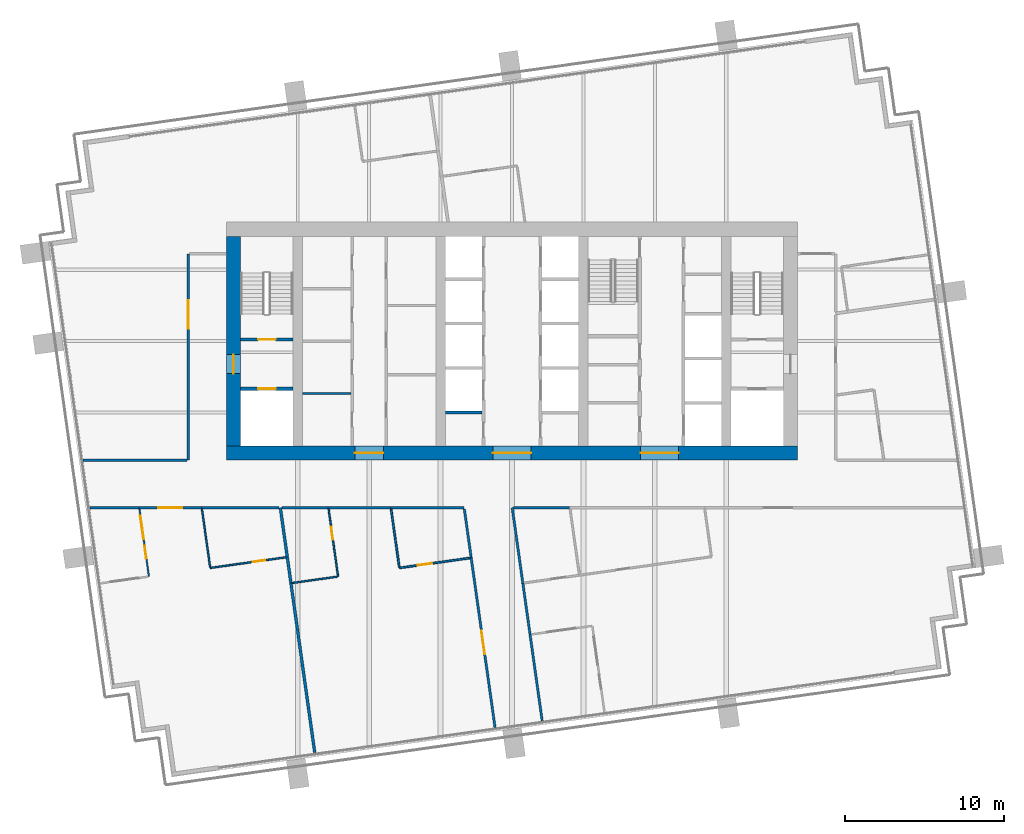
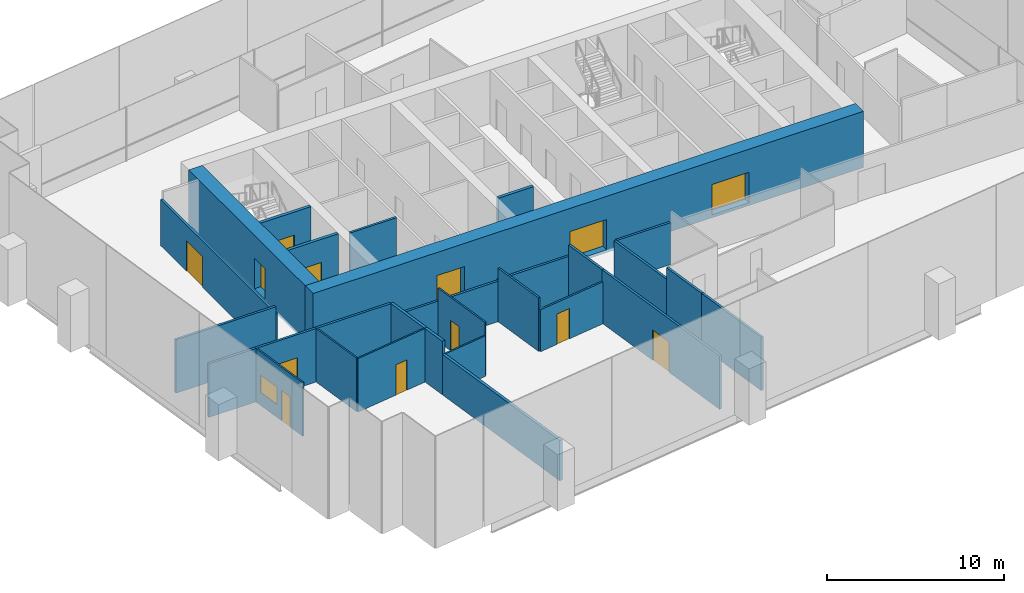
# One storey, part 9 of 17: 30 walls, 13 doors, 1 window, 14 openings.
"""IFC4 building model written with IfcOpenShell, lengths in metres."""

from ifc_helpers import new_model, si_unit, direction, frame, frame_2d, origin, place, context, subcontext, project, spatial, rectangle, extrude, material, layer, layer_set, type_object, element, fill, save


model = new_model("IFC4")

# Units and contexts
model_context = context("Model", 3, precision=1e-05, world=origin(), true_north=direction((0.0, 1.0)))
body_context = subcontext(model_context, "Body", "Model", "MODEL_VIEW")
ifc_project = project(units=[si_unit("LENGTHUNIT", "METRE"), si_unit("AREAUNIT", "SQUARE_METRE"), si_unit("VOLUMEUNIT", "CUBIC_METRE"), si_unit("PLANEANGLEUNIT", "RADIAN"), si_unit("MASSUNIT", "GRAM", prefix="KILO")], contexts=[model_context])

# Site, building, storey
site_placement = place(None, origin())
site = spatial("IfcSite", under=ifc_project, at=site_placement, CompositionType="ELEMENT")
building_placement = place(site_placement, origin())
building = spatial("IfcBuilding", under=site, at=building_placement, Name="Rattan Terrace Tower", CompositionType="ELEMENT")
storey_placement = place(building_placement, frame((0.0, 0.0, 168.5)))
storey = spatial("IfcBuildingStorey", under=building, at=storey_placement, Name="L38", CompositionType="ELEMENT", Elevation=168.5)

# Wall
ifc_material_1 = material(Name="Gypsum board partition")
ifc_layer_1 = layer(ifc_material_1, 0.14990234375)
ifc_layer_set_1 = layer_set([ifc_layer_1], Name="Core partition 150")
wall_type_1 = type_object("IfcWallType", Name="Core partition 150", PredefinedType="PARTITIONING", material=ifc_layer_set_1)
wall_1_placement = place(storey_placement, frame((-13.199951171875, -3.300048828125, 0.0), z_axis=(0.0, 0.0, 1.0), x_axis=(1.0, 0.0, 0.0)))
element("IfcWall", 1, at=wall_1_placement, inside=storey, type_object=wall_type_1, Name="Core room wall", PredefinedType="PARTITIONING", context=body_context, shape_type="SweptSolid", body=[
    extrude(rectangle(XDim=3.050048828125, YDim=0.14990234375, at=frame_2d((1.52490234375, 0.0))), origin(), (0.0, 0.0, 1.0), 3.699951171875),
])

# Wall, opening, door
ifc_material_2 = material(Name="Gypsum board partition")
ifc_layer_2 = layer(ifc_material_2, 0.199951171875)
ifc_layer_set_2 = layer_set([ifc_layer_2], Name="Core partition 200")
wall_type_2 = type_object("IfcWallType", Name="Core partition 200", PredefinedType="PARTITIONING", material=ifc_layer_set_2)
wall_2_placement = place(storey_placement, frame((-17.10009765625, -3.0, 0.0), z_axis=(0.0, 0.0, 1.0), x_axis=(1.0, 0.0, 0.0)))
wall_2 = element("IfcWall", 2, at=wall_2_placement, inside=storey, type_object=wall_type_2, Name="Fire-fighting lobby wall", PredefinedType="PARTITIONING", context=body_context, shape_type="SweptSolid", body=[
    extrude(rectangle(XDim=3.300048828125, YDim=0.199951171875, at=frame_2d((1.64990234375, 0.0))), origin(), (0.0, 0.0, 1.0), 3.699951171875),
])
opening_1_placement = place(wall_2_placement, frame((1.10009765625, 0.0, 0.0)))
opening_1 = element("IfcOpeningElement", 3, at=opening_1_placement, cuts=wall_2, Name="Opening L38-LD-FF1", PredefinedType="OPENING", context=body_context, shape_type="SweptSolid", body=[
    extrude(rectangle(XDim=1.10009765625, YDim=2.10009765625, at=frame_2d((0.550048828125, 1.050048828125))), frame((0.0, 0.110595703125, 0.0), z_axis=(0.0, -1.0, 0.0), x_axis=(1.0, 0.0, 0.0)), (0.0, 0.0, 1.0), 0.220947265625),
])
ifc_material_3 = material(Name="Brushed stainless landing door panel")
door_type_1 = type_object("IfcDoorType", Name="Core lift landing door 1100", OperationType="DOUBLE_DOOR_SLIDING", PredefinedType="DOOR", material=ifc_material_3)
door_1_placement = place(opening_1_placement, origin())
door_1 = element("IfcDoor", 4, at=door_1_placement, inside=storey, type_object=door_type_1, Name="Door L38-LD-FF1", OperationType="DOUBLE_DOOR_SLIDING", OverallHeight=2.10009765625, OverallWidth=1.10009765625, PredefinedType="DOOR", context=body_context, shape_type="SweptSolid", body=[
    extrude(rectangle(XDim=1.10009765625, YDim=2.10009765625, at=frame_2d((0.550048828125, 1.050048828125))), frame((0.0, 0.02490234375, 0.0), z_axis=(0.0, -1.0, 0.0), x_axis=(1.0, 0.0, 0.0)), (0.0, 0.0, 1.0), 0.050048828125),
])
fill(opening_1, door_1)

wall_3_placement = place(storey_placement, frame((-17.10009765625, 0.10009765625, 0.0), z_axis=(0.0, 0.0, 1.0), x_axis=(1.0, 0.0, 0.0)))
wall_3 = element("IfcWall", 5, at=wall_3_placement, inside=storey, type_object=wall_type_2, Name="Stair enclosure wall", PredefinedType="PARTITIONING", context=body_context, shape_type="SweptSolid", body=[
    extrude(rectangle(XDim=3.300048828125, YDim=0.199951171875, at=frame_2d((1.64990234375, 0.0))), origin(), (0.0, 0.0, 1.0), 3.699951171875),
])
opening_2_placement = place(wall_3_placement, frame((1.10009765625, 0.0, 0.0)))
opening_2 = element("IfcOpeningElement", 6, at=opening_2_placement, cuts=wall_3, Name="Opening L38-D002", PredefinedType="OPENING", context=body_context, shape_type="SweptSolid", body=[
    extrude(rectangle(XDim=1.10009765625, YDim=2.10009765625, at=frame_2d((0.550048828125, 1.050048828125))), frame((0.0, 0.110595703125, 0.0), z_axis=(0.0, -1.0, 0.0), x_axis=(1.0, 0.0, 0.0)), (0.0, 0.0, 1.0), 0.220947265625),
])
ifc_material_4 = material(Name="Hollow-metal fire door leaf")
door_type_2 = type_object("IfcDoorType", Name="Core stair door 1100", OperationType="NOTDEFINED", PredefinedType="DOOR", material=ifc_material_4)
door_2_placement = place(opening_2_placement, origin())
door_2 = element("IfcDoor", 7, at=door_2_placement, inside=storey, type_object=door_type_2, Name="Door L38-D002", OperationType="SINGLE_SWING_RIGHT", OverallHeight=2.10009765625, OverallWidth=1.10009765625, PredefinedType="DOOR", context=body_context, shape_type="SweptSolid", body=[
    extrude(rectangle(XDim=1.10009765625, YDim=2.10009765625, at=frame_2d((0.550048828125, 1.050048828125))), frame((0.0, 0.02490234375, 0.0), z_axis=(0.0, -1.0, 0.0), x_axis=(1.0, 0.0, 0.0)), (0.0, 0.0, 1.0), 0.050048828125),
])
fill(opening_2, door_2)

# Wall, openings, doors
ifc_material_5 = material(Name="Concrete C60/75", Category="concrete")
ifc_layer_3 = layer(ifc_material_5, 0.89990234375)
ifc_layer_set_3 = layer_set([ifc_layer_3], Name="Core ring wall 900 C60/75")
wall_type_3 = type_object("IfcWallType", Name="Core ring wall 900 C60/75", PredefinedType="SHEAR", material=ifc_layer_set_3)
wall_4_placement = place(storey_placement, frame((-18.0, -7.050048828125, -0.199951171875), z_axis=(0.0, 0.0, 1.0), x_axis=(1.0, 0.0, 0.0)))
wall_4 = element("IfcWall", 8, at=wall_4_placement, inside=storey, type_object=wall_type_3, Name="Rear core wall south", PredefinedType="SHEAR", context=body_context, shape_type="SweptSolid", body=[
    extrude(rectangle(XDim=36.0, YDim=0.89990234375, at=frame_2d((18.0, 0.0))), origin(), (0.0, 0.0, 1.0), 3.89990234375),
])
opening_3_placement = place(wall_4_placement, frame((8.10009765625, 0.0, 0.199951171875)))
opening_3 = element("IfcOpeningElement", 9, at=opening_3_placement, cuts=wall_4, Name="Opening L38-D012", PredefinedType="OPENING", context=body_context, shape_type="SweptSolid", body=[
    extrude(rectangle(XDim=1.800048828125, YDim=2.10009765625, at=frame_2d((0.89990234375, 1.050048828125))), frame((0.0, 0.46044921875, 0.0), z_axis=(0.0, -1.0, 0.0), x_axis=(1.0, 0.0, 0.0)), (0.0, 0.0, 1.0), 0.9208984375),
])
opening_4_placement = place(wall_4_placement, frame((16.800048828125, 0.0, 0.199951171875)))
opening_4 = element("IfcOpeningElement", 10, at=opening_4_placement, cuts=wall_4, Name="Opening L38-D015", PredefinedType="OPENING", context=body_context, shape_type="SweptSolid", body=[
    extrude(rectangle(XDim=2.39990234375, YDim=2.10009765625, at=frame_2d((1.199951171875, 1.050048828125))), frame((0.0, 0.46044921875, 0.0), z_axis=(0.0, -1.0, 0.0), x_axis=(1.0, 0.0, 0.0)), (0.0, 0.0, 1.0), 0.9208984375),
])
opening_5_placement = place(wall_4_placement, frame((26.10009765625, 0.0, 0.199951171875)))
opening_5 = element("IfcOpeningElement", 11, at=opening_5_placement, cuts=wall_4, Name="Opening L38-D020", PredefinedType="OPENING", context=body_context, shape_type="SweptSolid", body=[
    extrude(rectangle(XDim=2.39990234375, YDim=2.10009765625, at=frame_2d((1.199951171875, 1.050048828125))), frame((0.0, 0.46044921875, 0.0), z_axis=(0.0, -1.0, 0.0), x_axis=(1.0, 0.0, 0.0)), (0.0, 0.0, 1.0), 0.9208984375),
])
ifc_material_6 = material(Name="Hollow-metal fire door leaf")
door_type_3 = type_object("IfcDoorType", Name="Core lift lobby door 2400", OperationType="NOTDEFINED", PredefinedType="DOOR", material=ifc_material_6)
door_3_placement = place(opening_4_placement, origin())
door_3 = element("IfcDoor", 12, at=door_3_placement, inside=storey, type_object=door_type_3, Name="Door L38-D015", OperationType="DOUBLE_DOOR_DOUBLE_SWING", OverallHeight=2.10009765625, OverallWidth=2.39990234375, PredefinedType="DOOR", context=body_context, shape_type="SweptSolid", body=[
    extrude(rectangle(XDim=2.39990234375, YDim=2.10009765625, at=frame_2d((1.199951171875, 1.050048828125))), frame((0.0, 0.02490234375, 0.0), z_axis=(0.0, -1.0, 0.0), x_axis=(1.0, 0.0, 0.0)), (0.0, 0.0, 1.0), 0.050048828125),
])
fill(opening_4, door_3)
door_4_placement = place(opening_5_placement, origin())
door_4 = element("IfcDoor", 13, at=door_4_placement, inside=storey, type_object=door_type_3, Name="Door L38-D020", OperationType="DOUBLE_DOOR_DOUBLE_SWING", OverallHeight=2.10009765625, OverallWidth=2.39990234375, PredefinedType="DOOR", context=body_context, shape_type="SweptSolid", body=[
    extrude(rectangle(XDim=2.39990234375, YDim=2.10009765625, at=frame_2d((1.199951171875, 1.050048828125))), frame((0.0, 0.02490234375, 0.0), z_axis=(0.0, -1.0, 0.0), x_axis=(1.0, 0.0, 0.0)), (0.0, 0.0, 1.0), 0.050048828125),
])
fill(opening_5, door_4)
ifc_material_7 = material(Name="Hollow-metal fire door leaf")
door_type_4 = type_object("IfcDoorType", Name="Core service room door 1800", OperationType="NOTDEFINED", PredefinedType="DOOR", material=ifc_material_7)
door_5_placement = place(opening_3_placement, origin())
door_5 = element("IfcDoor", 14, at=door_5_placement, inside=storey, type_object=door_type_4, Name="Door L38-D012", OperationType="SINGLE_SWING_RIGHT", OverallHeight=2.10009765625, OverallWidth=1.800048828125, PredefinedType="DOOR", context=body_context, shape_type="SweptSolid", body=[
    extrude(rectangle(XDim=1.800048828125, YDim=2.10009765625, at=frame_2d((0.89990234375, 1.050048828125))), frame((0.0, 0.02490234375, 0.0), z_axis=(0.0, -1.0, 0.0), x_axis=(1.0, 0.0, 0.0)), (0.0, 0.0, 1.0), 0.050048828125),
])
fill(opening_3, door_5)

# Wall, opening, door
wall_5_placement = place(storey_placement, frame((-17.550048828125, -6.60009765625, -0.199951171875), z_axis=(0.0, 0.0, 1.0), x_axis=(0.0, 1.0, 0.0)))
wall_5 = element("IfcWall", 15, at=wall_5_placement, inside=storey, type_object=wall_type_3, Name="Rear core wall west", PredefinedType="SHEAR", context=body_context, shape_type="SweptSolid", body=[
    extrude(rectangle(XDim=13.2001953125, YDim=0.89990234375, at=frame_2d((6.60009765625, 0.0))), origin(), (0.0, 0.0, 1.0), 3.89990234375),
])
opening_6_placement = place(wall_5_placement, frame((4.550048828125, 0.0, 0.199951171875)))
opening_6 = element("IfcOpeningElement", 16, at=opening_6_placement, cuts=wall_5, Name="Opening L38-D001", PredefinedType="OPENING", context=body_context, shape_type="SweptSolid", body=[
    extrude(rectangle(XDim=1.199951171875, YDim=2.10009765625, at=frame_2d((0.60009765625, 1.050048828125))), frame((0.0, 0.46044921875, 0.0), z_axis=(0.0, -1.0, 0.0), x_axis=(1.0, 0.0, 0.0)), (0.0, 0.0, 1.0), 0.9208984375),
])
ifc_material_8 = material(Name="Hollow-metal fire door leaf")
door_type_5 = type_object("IfcDoorType", Name="Core fire-fighting lobby door 1200", OperationType="NOTDEFINED", PredefinedType="DOOR", material=ifc_material_8)
door_6_placement = place(opening_6_placement, origin())
door_6 = element("IfcDoor", 17, at=door_6_placement, inside=storey, type_object=door_type_5, Name="Door L38-D001", OperationType="SINGLE_SWING_LEFT", OverallHeight=2.10009765625, OverallWidth=1.199951171875, PredefinedType="DOOR", context=body_context, shape_type="SweptSolid", body=[
    extrude(rectangle(XDim=1.199951171875, YDim=2.10009765625, at=frame_2d((0.60009765625, 1.050048828125))), frame((0.0, 0.02490234375, 0.0), z_axis=(0.0, -1.0, 0.0), x_axis=(1.0, 0.0, 0.0)), (0.0, 0.0, 1.0), 0.050048828125),
])
fill(opening_6, door_6)

# Walls
ifc_material_9 = material(Name="Double steel stud acoustic partition, gypsum board, mineral wool, fire rated", Category="steel")
ifc_layer_4 = layer(ifc_material_9, 0.179931640625)
ifc_layer_set_4 = layer_set([ifc_layer_4], Name="Floors Acoustic Party Wall 180")
wall_type_4 = type_object("IfcWallType", Name="Floors Acoustic Party Wall 180", PredefinedType="PARTITIONING", material=ifc_layer_set_4)
wall_6_placement = place(storey_placement, frame((-13.929931640625, -15.23291015625, 0.0), z_axis=(0.0, 0.0, 1.0), x_axis=(0.139092809985, -0.990279349583, 0.0)))
element("IfcWall", 18, at=wall_6_placement, inside=storey, type_object=wall_type_4, Name="pt-L38-028", PredefinedType="PARTITIONING", context=body_context, shape_type="SweptSolid", body=[
    extrude(rectangle(XDim=10.80517578125, YDim=0.179931640625, at=frame_2d((5.402587890625, 0.0))), origin(), (0.0, 0.0, 1.0), 2.800048828125),
])
wall_7_placement = place(storey_placement, frame((-14.157958984375, -13.611083984375, 0.0), z_axis=(0.0, 0.0, 1.0), x_axis=(0.139229707098, -0.990260111618, 0.0)))
element("IfcWall", 19, at=wall_7_placement, inside=storey, type_object=wall_type_4, Name="pt-L38-029", PredefinedType="PARTITIONING", context=body_context, shape_type="SweptSolid", body=[
    extrude(rectangle(XDim=1.6376953125, YDim=0.179931640625, at=frame_2d((0.81884765625, 0.0))), origin(), (0.0, 0.0, 1.0), 3.699951171875),
])
wall_8_placement = place(storey_placement, frame((-14.594970703125, -10.5, 0.0), z_axis=(0.0, 0.0, 1.0), x_axis=(0.139103611391, -0.990277832377, 0.0)))
element("IfcWall", 20, at=wall_8_placement, inside=storey, type_object=wall_type_4, Name="pt-L38-030", PredefinedType="PARTITIONING", context=body_context, shape_type="SweptSolid", body=[
    extrude(rectangle(XDim=3.1416015625, YDim=0.179931640625, at=frame_2d((1.57080078125, 0.0))), origin(), (0.0, 0.0, 1.0), 3.699951171875),
])

# Wall, openings, door, window
ifc_material_10 = material(Name="Gypsum board partition on steel studs", Category="steel")
ifc_layer_5 = layer(ifc_material_10, 0.10009765625)
ifc_layer_set_5 = layer_set([ifc_layer_5], Name="Floors Partition 100")
wall_type_5 = type_object("IfcWallType", Name="Floors Partition 100", PredefinedType="PARTITIONING", material=ifc_layer_set_5)
wall_9_placement = place(storey_placement, frame((-22.875, -14.8359375, 0.0), z_axis=(0.0, 0.0, 1.0), x_axis=(-0.139240076126, 0.990258653686, 0.0)))
wall_9 = element("IfcWall", 21, at=wall_9_placement, inside=storey, type_object=wall_type_5, Name="pt-L38-025", PredefinedType="PARTITIONING", context=body_context, shape_type="SweptSolid", body=[
    extrude(rectangle(XDim=4.309814453125, YDim=0.10009765625, at=frame_2d((2.15478515625, 0.0))), origin(), (0.0, 0.0, 1.0), 3.699951171875),
])
opening_7_placement = place(wall_9_placement, frame((1.153076171875, 0.0, 0.0)))
opening_7 = element("IfcOpeningElement", 22, at=opening_7_placement, cuts=wall_9, Name="Opening L38-D101", PredefinedType="OPENING", context=body_context, shape_type="SweptSolid", body=[
    extrude(rectangle(XDim=0.800048828125, YDim=2.10009765625, at=frame_2d((0.39990234375, 1.050048828125))), frame((0.0, 0.060546875, 0.0), z_axis=(0.0, -1.0, 0.0), x_axis=(1.0, 0.0, 0.0)), (0.0, 0.0, 1.0), 0.12109375),
])
opening_8_placement = place(wall_9_placement, frame((2.373046875, 0.0, 0.89990234375)))
opening_8 = element("IfcOpeningElement", 23, at=opening_8_placement, cuts=wall_9, Name="Opening L38-W101", PredefinedType="OPENING", context=body_context, shape_type="SweptSolid", body=[
    extrude(rectangle(XDim=1.5, YDim=1.199951171875, at=frame_2d((0.75, 0.60009765625))), frame((0.0, 0.060546875, 0.0), z_axis=(0.0, -1.0, 0.0), x_axis=(1.0, 0.0, 0.0)), (0.0, 0.0, 1.0), 0.12109375),
])
ifc_material_11 = material(Name="Solid core timber door, painted", Category="wood")
door_type_6 = type_object("IfcDoorType", Name="Floors Store Door 800x2100", OperationType="NOTDEFINED", PredefinedType="DOOR", material=ifc_material_11)
door_7_placement = place(opening_7_placement, origin())
door_7 = element("IfcDoor", 24, at=door_7_placement, inside=storey, type_object=door_type_6, Name="d-L38-101", OperationType="SINGLE_SWING_LEFT", OverallHeight=2.10009765625, OverallWidth=0.800048828125, PredefinedType="DOOR", context=body_context, shape_type="SweptSolid", body=[
    extrude(rectangle(XDim=0.800048828125, YDim=2.10009765625, at=frame_2d((0.39990234375, 1.050048828125))), frame((0.0, 0.02490234375, 0.0), z_axis=(0.0, -1.0, 0.0), x_axis=(1.0, 0.0, 0.0)), (0.0, 0.0, 1.0), 0.050048828125),
])
fill(opening_7, door_7)
ifc_material_12 = material(Name="Glass, clear, fixed in aluminium frame", Category="aluminium")
window_type = type_object("IfcWindowType", Name="Interior Vision Window 1500x1200", PartitioningType="SINGLE_PANEL", PredefinedType="WINDOW", material=ifc_material_12)
window_placement = place(opening_8_placement, origin())
window = element("IfcWindow", 25, at=window_placement, inside=storey, type_object=window_type, Name="w-L38-101", OverallHeight=1.199951171875, OverallWidth=1.5, PartitioningType="SINGLE_PANEL", PredefinedType="WINDOW", context=body_context, shape_type="SweptSolid", body=[
    extrude(rectangle(XDim=1.5, YDim=1.199951171875, at=frame_2d((0.75, 0.60009765625))), frame((0.0, 0.030029296875, 0.0), z_axis=(0.0, -1.0, 0.0), x_axis=(1.0, 0.0, 0.0)), (0.0, 0.0, 1.0), 0.06005859375),
])
fill(opening_8, window)

# Wall
wall_10_placement = place(storey_placement, frame((-19.537109375, -10.568115234375, 0.0), z_axis=(0.0, 0.0, 1.0), x_axis=(0.139303202992, -0.990249775378, 0.0)))
element("IfcWall", 26, at=wall_10_placement, inside=storey, type_object=wall_type_5, Name="pt-L38-026", PredefinedType="PARTITIONING", context=body_context, shape_type="SweptSolid", body=[
    extrude(rectangle(XDim=3.7119140625, YDim=0.10009765625, at=frame_2d((1.85595703125, 0.0))), origin(), (0.0, 0.0, 1.0), 3.699951171875),
])

# Wall, opening, door
wall_11_placement = place(storey_placement, frame((-19.012939453125, -14.29296875, 0.0), z_axis=(0.0, 0.0, 1.0), x_axis=(0.990264556242, 0.139198091406, 0.0)))
wall_11 = element("IfcWall", 27, at=wall_11_placement, inside=storey, type_object=wall_type_5, Name="pt-L38-027", PredefinedType="PARTITIONING", context=body_context, shape_type="SweptSolid", body=[
    extrude(rectangle(XDim=4.812744140625, YDim=0.10009765625, at=frame_2d((2.40625, 0.0))), origin(), (0.0, 0.0, 1.0), 3.699951171875),
])
opening_9_placement = place(wall_11_placement, frame((2.708984375, 0.0, 0.0)))
opening_9 = element("IfcOpeningElement", 28, at=opening_9_placement, cuts=wall_11, Name="Opening L38-D102", PredefinedType="OPENING", context=body_context, shape_type="SweptSolid", body=[
    extrude(rectangle(XDim=0.800048828125, YDim=2.10009765625, at=frame_2d((0.39990234375, 1.050048828125))), frame((0.0, 0.060546875, 0.0), z_axis=(0.0, -1.0, 0.0), x_axis=(1.0, 0.0, 0.0)), (0.0, 0.0, 1.0), 0.12109375),
])
door_8_placement = place(opening_9_placement, origin())
door_8 = element("IfcDoor", 29, at=door_8_placement, inside=storey, type_object=door_type_6, Name="d-L38-102", OperationType="SINGLE_SWING_RIGHT", OverallHeight=2.10009765625, OverallWidth=0.800048828125, PredefinedType="DOOR", context=body_context, shape_type="SweptSolid", body=[
    extrude(rectangle(XDim=0.800048828125, YDim=2.10009765625, at=frame_2d((0.39990234375, 1.050048828125))), frame((0.0, 0.02490234375, 0.0), z_axis=(0.0, -1.0, 0.0), x_axis=(1.0, 0.0, 0.0)), (0.0, 0.0, 1.0), 0.050048828125),
])
fill(opening_9, door_8)

# Wall
wall_12_placement = place(storey_placement, frame((-13.837890625, -15.240966796875, 0.0), z_axis=(0.0, 0.0, 1.0), x_axis=(0.990263018372, 0.139209031475, 0.0)))
element("IfcWall", 30, at=wall_12_placement, inside=storey, type_object=wall_type_5, Name="pt-L38-031", PredefinedType="PARTITIONING", context=body_context, shape_type="SweptSolid", body=[
    extrude(rectangle(XDim=2.858642578125, YDim=0.10009765625, at=frame_2d((1.42919921875, 0.0))), origin(), (0.0, 0.0, 1.0), 2.800048828125),
])

# Wall, opening, door
wall_13_placement = place(storey_placement, frame((-10.95703125, -14.8359375, 0.0), z_axis=(0.0, 0.0, 1.0), x_axis=(-0.138962312518, 0.990297670249, 0.0)))
wall_13 = element("IfcWall", 31, at=wall_13_placement, inside=storey, type_object=wall_type_5, Name="pt-L38-032", PredefinedType="PARTITIONING", context=body_context, shape_type="SweptSolid", body=[
    extrude(rectangle(XDim=4.3095703125, YDim=0.10009765625, at=frame_2d((2.15478515625, 0.0))), origin(), (0.0, 0.0, 1.0), 3.699951171875),
])
opening_10_placement = place(wall_13_placement, frame((2.35693359375, 0.0, 0.0)))
opening_10 = element("IfcOpeningElement", 32, at=opening_10_placement, cuts=wall_13, Name="Opening L38-D104", PredefinedType="OPENING", context=body_context, shape_type="SweptSolid", body=[
    extrude(rectangle(XDim=0.800048828125, YDim=2.10009765625, at=frame_2d((0.39990234375, 1.050048828125))), frame((0.0, 0.060546875, 0.0), z_axis=(0.0, -1.0, 0.0), x_axis=(1.0, 0.0, 0.0)), (0.0, 0.0, 1.0), 0.12109375),
])
door_9_placement = place(opening_10_placement, origin())
door_9 = element("IfcDoor", 33, at=door_9_placement, inside=storey, type_object=door_type_6, Name="d-L38-104", OperationType="SINGLE_SWING_RIGHT", OverallHeight=2.10009765625, OverallWidth=0.800048828125, PredefinedType="DOOR", context=body_context, shape_type="SweptSolid", body=[
    extrude(rectangle(XDim=0.800048828125, YDim=2.10009765625, at=frame_2d((0.39990234375, 1.050048828125))), frame((0.0, 0.02490234375, 0.0), z_axis=(0.0, -1.0, 0.0), x_axis=(1.0, 0.0, 0.0)), (0.0, 0.0, 1.0), 0.050048828125),
])
fill(opening_10, door_9)

ifc_material_13 = material(Name="Gypsum board partition on steel studs, fire rated", Category="steel")
ifc_layer_6 = layer(ifc_material_13, 0.14990234375)
ifc_layer_set_6 = layer_set([ifc_layer_6], Name="Floors Tenancy Wall 150")
wall_type_6 = type_object("IfcWallType", Name="Floors Tenancy Wall 150", PredefinedType="PARTITIONING", material=ifc_layer_set_6)
wall_14_placement = place(storey_placement, frame((-19.56591796875, -10.5, 0.0), z_axis=(0.0, 0.0, 1.0), x_axis=(-1.0, 0.0, 0.0)))
wall_14 = element("IfcWall", 34, at=wall_14_placement, inside=storey, type_object=wall_type_6, Name="pt-L38-001", PredefinedType="PARTITIONING", context=body_context, shape_type="SweptSolid", body=[
    extrude(rectangle(XDim=3.93896484375, YDim=0.14990234375, at=frame_2d((1.969482421875, 0.0))), origin(), (0.0, 0.0, 1.0), 3.699951171875),
])
opening_11_placement = place(wall_14_placement, frame((1.219970703125, 0.0, 0.0)))
opening_11 = element("IfcOpeningElement", 35, at=opening_11_placement, cuts=wall_14, Name="Opening L38-D100", PredefinedType="OPENING", context=body_context, shape_type="SweptSolid", body=[
    extrude(rectangle(XDim=1.5, YDim=2.10009765625, at=frame_2d((0.75, 1.050048828125))), frame((0.0, 0.08544921875, 0.0), z_axis=(0.0, -1.0, 0.0), x_axis=(1.0, 0.0, 0.0)), (0.0, 0.0, 1.0), 0.1708984375),
])
ifc_material_14 = material(Name="Steel fire door set", Category="steel")
door_type_7 = type_object("IfcDoorType", Name="Floors Unit Door Pair FD30S 1500x2100", OperationType="NOTDEFINED", PredefinedType="DOOR", material=ifc_material_14)
door_10_placement = place(opening_11_placement, origin())
door_10 = element("IfcDoor", 36, at=door_10_placement, inside=storey, type_object=door_type_7, Name="d-L38-100", OperationType="DOUBLE_DOOR_SINGLE_SWING", OverallHeight=2.10009765625, OverallWidth=1.5, PredefinedType="DOOR", context=body_context, shape_type="SweptSolid", body=[
    extrude(rectangle(XDim=1.5, YDim=2.10009765625, at=frame_2d((0.75, 1.050048828125))), frame((0.0, 0.02490234375, 0.0), z_axis=(0.0, -1.0, 0.0), x_axis=(1.0, 0.0, 0.0)), (0.0, 0.0, 1.0), 0.050048828125),
])
fill(opening_11, door_10)

# Walls
wall_15_placement = place(storey_placement, frame((-23.5048828125, -10.5, 0.0), z_axis=(0.0, 0.0, 1.0), x_axis=(-1.0, 0.0, 0.0)))
element("IfcWall", 37, at=wall_15_placement, inside=storey, type_object=wall_type_6, Name="pt-L38-002", PredefinedType="PARTITIONING", context=body_context, shape_type="SweptSolid", body=[
    extrude(rectangle(XDim=3.089111328125, YDim=0.14990234375, at=frame_2d((1.54443359375, 0.0))), origin(), (0.0, 0.0, 1.0), 3.699951171875),
])
wall_16_placement = place(storey_placement, frame((-14.68408203125, -10.5, 0.0), z_axis=(0.0, 0.0, 1.0), x_axis=(-1.0, 0.0, 0.0)))
element("IfcWall", 38, at=wall_16_placement, inside=storey, type_object=wall_type_6, Name="pt-L38-003", PredefinedType="PARTITIONING", context=body_context, shape_type="SweptSolid", body=[
    extrude(rectangle(XDim=4.8818359375, YDim=0.14990234375, at=frame_2d((2.44091796875, 0.0))), origin(), (0.0, 0.0, 1.0), 3.699951171875),
])
wall_17_placement = place(storey_placement, frame((-7.64794921875, -10.5, 0.0), z_axis=(0.0, 0.0, 1.0), x_axis=(-1.0, 0.0, 0.0)))
element("IfcWall", 39, at=wall_17_placement, inside=storey, type_object=wall_type_6, Name="pt-L38-004", PredefinedType="PARTITIONING", context=body_context, shape_type="SweptSolid", body=[
    extrude(rectangle(XDim=3.93798828125, YDim=0.14990234375, at=frame_2d((1.968994140625, 0.0))), origin(), (0.0, 0.0, 1.0), 2.800048828125),
])

# Wall, opening, door
wall_18_placement = place(storey_placement, frame((-1.070068359375, -24.3369140625, 0.0), z_axis=(0.0, 0.0, 1.0), x_axis=(-0.139184552649, 0.990266459244, 0.0)))
wall_18 = element("IfcWall", 40, at=wall_18_placement, inside=storey, type_object=wall_type_6, Name="pt-L38-005", PredefinedType="PARTITIONING", context=body_context, shape_type="SweptSolid", body=[
    extrude(rectangle(XDim=10.80517578125, YDim=0.14990234375, at=frame_2d((5.402587890625, 0.0))), origin(), (0.0, 0.0, 1.0), 3.699951171875),
])
opening_12_placement = place(wall_18_placement, frame((4.652099609375, 0.0, 0.0)))
opening_12 = element("IfcOpeningElement", 41, at=opening_12_placement, cuts=wall_18, Name="Opening L38-D103", PredefinedType="OPENING", context=body_context, shape_type="SweptSolid", body=[
    extrude(rectangle(XDim=1.5, YDim=2.10009765625, at=frame_2d((0.75, 1.050048828125))), frame((0.0, 0.08544921875, 0.0), z_axis=(0.0, -1.0, 0.0), x_axis=(1.0, 0.0, 0.0)), (0.0, 0.0, 1.0), 0.1708984375),
])
door_11_placement = place(opening_12_placement, origin())
door_11 = element("IfcDoor", 42, at=door_11_placement, inside=storey, type_object=door_type_7, Name="d-L38-103", OperationType="DOUBLE_DOOR_SINGLE_SWING", OverallHeight=2.10009765625, OverallWidth=1.5, PredefinedType="DOOR", context=body_context, shape_type="SweptSolid", body=[
    extrude(rectangle(XDim=1.5, YDim=2.10009765625, at=frame_2d((0.75, 1.050048828125))), frame((0.0, 0.02490234375, 0.0), z_axis=(0.0, -1.0, 0.0), x_axis=(1.0, 0.0, 0.0)), (0.0, 0.0, 1.0), 0.050048828125),
])
fill(opening_12, door_11)

# Walls
wall_19_placement = place(storey_placement, frame((-11.5859375, -10.5, 0.0), z_axis=(0.0, 0.0, 1.0), x_axis=(-1.0, 0.0, 0.0)))
element("IfcWall", 43, at=wall_19_placement, inside=storey, type_object=wall_type_6, Name="pt-L38-006", PredefinedType="PARTITIONING", context=body_context, shape_type="SweptSolid", body=[
    extrude(rectangle(XDim=2.907958984375, YDim=0.14990234375, at=frame_2d((1.4541015625, 0.0))), origin(), (0.0, 0.0, 1.0), 2.800048828125),
])
wall_20_placement = place(storey_placement, frame((-3.014892578125, -10.5, 0.0), z_axis=(0.0, 0.0, 1.0), x_axis=(-1.0, 0.0, 0.0)))
element("IfcWall", 44, at=wall_20_placement, inside=storey, type_object=wall_type_6, Name="pt-L38-007", PredefinedType="PARTITIONING", context=body_context, shape_type="SweptSolid", body=[
    extrude(rectangle(XDim=4.633056640625, YDim=0.14990234375, at=frame_2d((2.31640625, 0.0))), origin(), (0.0, 0.0, 1.0), 2.89990234375),
])
wall_21_placement = place(storey_placement, frame((-2.573974609375, -13.636962890625, 0.0), z_axis=(0.0, 0.0, 1.0), x_axis=(-0.138957403221, 0.990298359127, 0.0)))
element("IfcWall", 45, at=wall_21_placement, inside=storey, type_object=wall_type_6, Name="pt-L38-008", PredefinedType="PARTITIONING", context=body_context, shape_type="SweptSolid", body=[
    extrude(rectangle(XDim=3.093994140625, YDim=0.14990234375, at=frame_2d((1.546875, 0.0))), origin(), (0.0, 0.0, 1.0), 3.699951171875),
])
wall_22_placement = place(storey_placement, frame((0.68603515625, -15.27294921875, 0.0), z_axis=(0.0, 0.0, 1.0), x_axis=(0.139242097723, -0.990258369428, 0.0)))
element("IfcWall", 46, at=wall_22_placement, inside=storey, type_object=wall_type_6, Name="pt-L38-009", PredefinedType="PARTITIONING", context=body_context, shape_type="SweptSolid", body=[
    extrude(rectangle(XDim=3.2314453125, YDim=0.14990234375, at=frame_2d((1.61572265625, 0.0))), origin(), (0.0, 0.0, 1.0), 3.699951171875),
])
wall_23_placement = place(storey_placement, frame((1.135986328125, -18.472900390625, 0.0), z_axis=(0.0, 0.0, 1.0), x_axis=(0.139059647431, -0.990284006968, 0.0)))
element("IfcWall", 47, at=wall_23_placement, inside=storey, type_object=wall_type_6, Name="pt-L38-011", PredefinedType="PARTITIONING", context=body_context, shape_type="SweptSolid", body=[
    extrude(rectangle(XDim=5.50048828125, YDim=0.14990234375, at=frame_2d((2.750244140625, 0.0))), origin(), (0.0, 0.0, 1.0), 3.699951171875),
])
wall_24_placement = place(storey_placement, frame((0.014892578125, -10.5, 0.0), z_axis=(0.0, 0.0, 1.0), x_axis=(0.139243966004, -0.990258106723, 0.0)))
element("IfcWall", 48, at=wall_24_placement, inside=storey, type_object=wall_type_6, Name="pt-L38-012", PredefinedType="PARTITIONING", context=body_context, shape_type="SweptSolid", body=[
    extrude(rectangle(XDim=4.81982421875, YDim=0.14990234375, at=frame_2d((2.409912109375, 0.0))), origin(), (0.0, 0.0, 1.0), 2.89990234375),
])
wall_25_placement = place(storey_placement, frame((3.6298828125, -10.5, 0.0), z_axis=(0.0, 0.0, 1.0), x_axis=(-1.0, 0.0, 0.0)))
element("IfcWall", 49, at=wall_25_placement, inside=storey, type_object=wall_type_6, Name="pt-L38-013", PredefinedType="PARTITIONING", context=body_context, shape_type="SweptSolid", body=[
    extrude(rectangle(XDim=3.52880859375, YDim=0.14990234375, at=frame_2d((1.764404296875, 0.0))), origin(), (0.0, 0.0, 1.0), 2.89990234375),
])
wall_26_placement = place(storey_placement, frame((-27.014892578125, -7.5, 0.0), z_axis=(0.0, 0.0, 1.0), x_axis=(1.0, 0.0, 0.0)))
element("IfcWall", 50, at=wall_26_placement, inside=storey, type_object=wall_type_6, Name="pt-L38-015", PredefinedType="PARTITIONING", context=body_context, shape_type="SweptSolid", body=[
    extrude(rectangle(XDim=6.539794921875, YDim=0.14990234375, at=frame_2d((3.27001953125, 0.0))), origin(), (0.0, 0.0, 1.0), 3.699951171875),
])

# Wall, opening, door
wall_27_placement = place(storey_placement, frame((-20.39990234375, -7.5, 0.0), z_axis=(0.0, 0.0, 1.0), x_axis=(0.0, 1.0, 0.0)))
wall_27 = element("IfcWall", 51, at=wall_27_placement, inside=storey, type_object=wall_type_6, Name="pt-L38-016", PredefinedType="PARTITIONING", context=body_context, shape_type="SweptSolid", body=[
    extrude(rectangle(XDim=13.0, YDim=0.14990234375, at=frame_2d((6.5, 0.0))), origin(), (0.0, 0.0, 1.0), 3.199951171875),
])
opening_13_placement = place(wall_27_placement, frame((8.27490234375, 0.0, 0.0)))
opening_13 = element("IfcOpeningElement", 52, at=opening_13_placement, cuts=wall_27, Name="Opening L38-D110", PredefinedType="OPENING", context=body_context, shape_type="SweptSolid", body=[
    extrude(rectangle(XDim=1.800048828125, YDim=2.10009765625, at=frame_2d((0.89990234375, 1.050048828125))), frame((0.0, 0.08544921875, 0.0), z_axis=(0.0, -1.0, 0.0), x_axis=(1.0, 0.0, 0.0)), (0.0, 0.0, 1.0), 0.1708984375),
])
ifc_material_15 = material(Name="Steel fire door set", Category="steel")
door_type_8 = type_object("IfcDoorType", Name="Floors Fire Door Pair FD30S 1800x2100", OperationType="NOTDEFINED", PredefinedType="DOOR", material=ifc_material_15)
door_12_placement = place(opening_13_placement, origin())
door_12 = element("IfcDoor", 53, at=door_12_placement, inside=storey, type_object=door_type_8, Name="d-L38-110", OperationType="DOUBLE_DOOR_SINGLE_SWING", OverallHeight=2.10009765625, OverallWidth=1.800048828125, PredefinedType="DOOR", context=body_context, shape_type="SweptSolid", body=[
    extrude(rectangle(XDim=1.800048828125, YDim=2.10009765625, at=frame_2d((0.89990234375, 1.050048828125))), frame((0.0, 0.02490234375, 0.0), z_axis=(0.0, -1.0, 0.0), x_axis=(1.0, 0.0, 0.0)), (0.0, 0.0, 1.0), 0.050048828125),
])
fill(opening_13, door_12)

# Wall
ifc_material_16 = material(Name="Moisture resistant gypsum board partition on steel studs with service cavity", Category="steel")
ifc_layer_7 = layer(ifc_material_16, 0.1201171875)
ifc_layer_set_7 = layer_set([ifc_layer_7], Name="Floors Wet Wall 120")
wall_type_7 = type_object("IfcWallType", Name="Floors Wet Wall 120", PredefinedType="PARTITIONING", material=ifc_layer_set_7)
wall_28_placement = place(storey_placement, frame((-7.618896484375, -10.56689453125, 0.0), z_axis=(0.0, 0.0, 1.0), x_axis=(0.13904874823, -0.990285537416, 0.0)))
element("IfcWall", 54, at=wall_28_placement, inside=storey, type_object=wall_type_7, Name="pt-L38-033", PredefinedType="PARTITIONING", context=body_context, shape_type="SweptSolid", body=[
    extrude(rectangle(XDim=3.702880859375, YDim=0.1201171875, at=frame_2d((1.8515625, 0.0))), origin(), (0.0, 0.0, 1.0), 3.699951171875),
])

# Wall, opening, door
wall_29_placement = place(storey_placement, frame((-7.094970703125, -14.29296875, 0.0), z_axis=(0.0, 0.0, 1.0), x_axis=(0.990250373685, 0.139298949807, 0.0)))
wall_29 = element("IfcWall", 55, at=wall_29_placement, inside=storey, type_object=wall_type_7, Name="pt-L38-034", PredefinedType="PARTITIONING", context=body_context, shape_type="SweptSolid", body=[
    extrude(rectangle(XDim=4.49365234375, YDim=0.1201171875, at=frame_2d((2.246826171875, 0.0))), origin(), (0.0, 0.0, 1.0), 2.89990234375),
])
opening_14_placement = place(wall_29_placement, frame((1.177978515625, 0.0, 0.0)))
opening_14 = element("IfcOpeningElement", 56, at=opening_14_placement, cuts=wall_29, Name="Opening L38-D105", PredefinedType="OPENING", context=body_context, shape_type="SweptSolid", body=[
    extrude(rectangle(XDim=0.89990234375, YDim=2.10009765625, at=frame_2d((0.449951171875, 1.050048828125))), frame((0.0, 0.070556640625, 0.0), z_axis=(0.0, -1.0, 0.0), x_axis=(1.0, 0.0, 0.0)), (0.0, 0.0, 1.0), 0.14111328125),
])
ifc_material_17 = material(Name="Solid core timber door, painted", Category="wood")
door_type_9 = type_object("IfcDoorType", Name="Floors Door 900x2100", OperationType="NOTDEFINED", PredefinedType="DOOR", material=ifc_material_17)
door_13_placement = place(opening_14_placement, origin())
door_13 = element("IfcDoor", 57, at=door_13_placement, inside=storey, type_object=door_type_9, Name="d-L38-105", OperationType="SINGLE_SWING_LEFT", OverallHeight=2.10009765625, OverallWidth=0.89990234375, PredefinedType="DOOR", context=body_context, shape_type="SweptSolid", body=[
    extrude(rectangle(XDim=0.89990234375, YDim=2.10009765625, at=frame_2d((0.449951171875, 1.050048828125))), frame((0.0, 0.02490234375, 0.0), z_axis=(0.0, -1.0, 0.0), x_axis=(1.0, 0.0, 0.0)), (0.0, 0.0, 1.0), 0.050048828125),
])
fill(opening_14, door_13)

# Wall
ifc_material_18 = material(Name="Gypsum shaft wall system")
ifc_layer_8 = layer(ifc_material_18, 0.199951171875)
ifc_layer_set_8 = layer_set([ifc_layer_8], Name="Lift shaft wall 200")
wall_type_8 = type_object("IfcWallType", Name="Lift shaft wall 200", PredefinedType="PARTITIONING", material=ifc_layer_set_8)
wall_30_placement = place(storey_placement, frame((-4.199951171875, -4.5, 0.0), z_axis=(0.0, 0.0, 1.0), x_axis=(1.0, 0.0, 0.0)))
element("IfcWall", 58, at=wall_30_placement, inside=storey, type_object=wall_type_8, Name="Lift shaft wall", PredefinedType="PARTITIONING", context=body_context, shape_type="SweptSolid", body=[
    extrude(rectangle(XDim=2.300048828125, YDim=0.199951171875, at=frame_2d((1.14990234375, 0.0))), origin(), (0.0, 0.0, 1.0), 3.699951171875),
])

save(model, "model.ifc")
